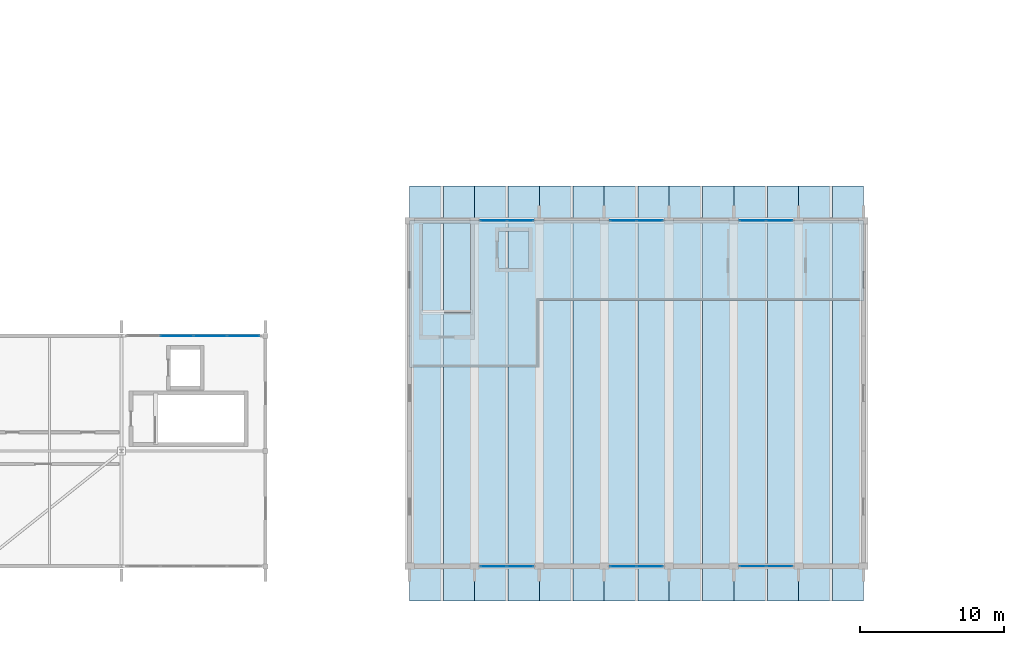
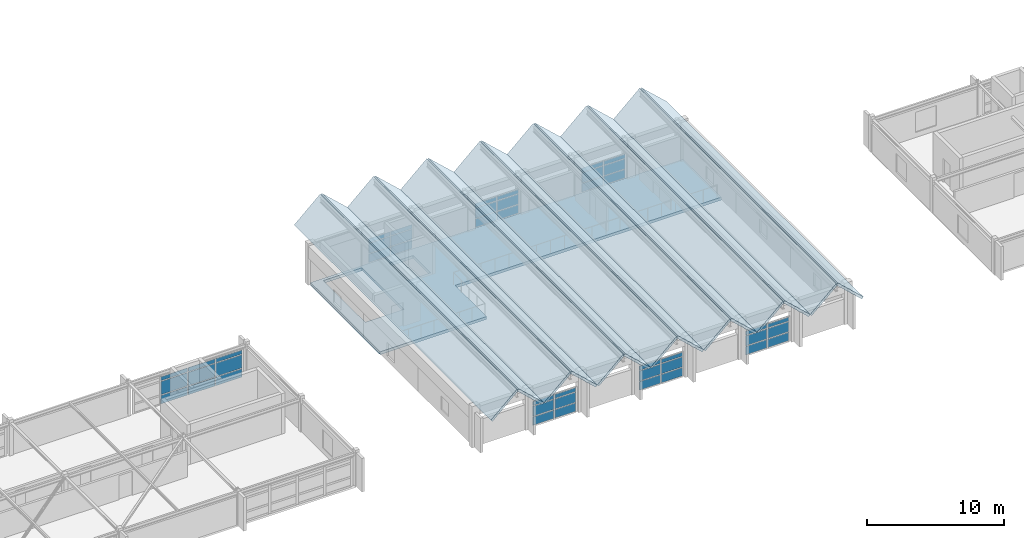
# One storey, part 42 of 83: 45 plates, 15 slabs, 7 elements without a shape of their own.
"""IFC4 building model written with IfcOpenShell, lengths in metres."""

from ifc_helpers import new_model, si_unit, direction, frame, origin, origin_2d, place, context, subcontext, project, spatial, polyline, rectangle, outline, extrude, material, layer, layer_set, type_object, element, aggregate, save


model = new_model("IFC4")

# Units and contexts
model_context = context("Model", 3, precision=1e-05, world=origin(), true_north=direction((0.0, 1.0)))
body_context = subcontext(model_context, "Body", "Model", "MODEL_VIEW")
ifc_project = project(units=[si_unit("LENGTHUNIT", "METRE"), si_unit("AREAUNIT", "SQUARE_METRE"), si_unit("VOLUMEUNIT", "CUBIC_METRE"), si_unit("PLANEANGLEUNIT", "RADIAN"), si_unit("MASSUNIT", "GRAM", prefix="KILO")], contexts=[model_context])

# Site, building, storey
site_placement = place(None, origin())
site = spatial("IfcSite", under=ifc_project, at=site_placement, CompositionType="ELEMENT")
building_placement = place(site_placement, origin())
building = spatial("IfcBuilding", under=site, at=building_placement, Name="Zimvara Arc Housing Community", CompositionType="ELEMENT")
storey_placement = place(building_placement, frame((0.0, 0.0, 4.5)))
storey = spatial("IfcBuildingStorey", under=building, at=storey_placement, Name="L01", CompositionType="ELEMENT", Elevation=4.5)

# Curtain wall, plates
ifc_material_1 = material(Name="Anodised Aluminium AW-6063", Category="aluminium")
curtain_wall_type_1 = type_object("IfcCurtainWallType", Name="CW-SYS-04", PredefinedType="USERDEFINED", material=ifc_material_1)
curtain_wall_1_placement = place(storey_placement, origin())
curtain_wall_1 = element("IfcCurtainWall", 1, at=curtain_wall_1_placement, inside=storey, type_object=curtain_wall_type_1, Name="cw:hall:L01:south:b3", ObjectType="CURTAIN WALL", PredefinedType="USERDEFINED")
ifc_material_2 = material(Name="Pale-Gold Anodised Aluminium Spandrel Panel", Category="aluminium")
ifc_layer_1 = layer(ifc_material_2, 0.035888671875)
ifc_layer_set_1 = layer_set([ifc_layer_1], Name="Pale-Gold Anodised Aluminium Spandrel Panel")
plate_type_1 = type_object("IfcPlateType", Name="CWP-GLD-36", PredefinedType="CURTAIN_PANEL", material=ifc_layer_set_1)
plate_1_placement = place(storey_placement, frame((82.8212890625, 3.60009765625, 0.06494140625), z_axis=(0.0, 0.0, 1.0), x_axis=(1.0, 0.0, 0.0)))
plate_1 = element("IfcPlate", 2, at=plate_1_placement, type_object=plate_type_1, Name="CW04 panel 1.1", PredefinedType="CURTAIN_PANEL", context=body_context, shape_type="SweptSolid", body=[
    extrude(rectangle(XDim=1.79248046875, YDim=0.035888671875, at=origin_2d()), origin(), (0.0, 0.0, 1.0), 0.75244140625),
])
plate_2_placement = place(storey_placement, frame((82.8212890625, 3.60009765625, 0.88232421875), z_axis=(0.0, 0.0, 1.0), x_axis=(1.0, 0.0, 0.0)))
plate_2 = element("IfcPlate", 3, at=plate_2_placement, type_object=plate_type_1, Name="CW04 panel 1.2", PredefinedType="CURTAIN_PANEL", context=body_context, shape_type="SweptSolid", body=[
    extrude(rectangle(XDim=1.79248046875, YDim=0.035888671875, at=origin_2d()), origin(), (0.0, 0.0, 1.0), 0.885009765625),
])
plate_3_placement = place(storey_placement, frame((82.8212890625, 3.60009765625, 1.83251953125), z_axis=(0.0, 0.0, 1.0), x_axis=(1.0, 0.0, 0.0)))
plate_3 = element("IfcPlate", 4, at=plate_3_placement, type_object=plate_type_1, Name="CW04 panel 1.3", PredefinedType="CURTAIN_PANEL", context=body_context, shape_type="SweptSolid", body=[
    extrude(rectangle(XDim=1.79248046875, YDim=0.035888671875, at=origin_2d()), origin(), (0.0, 0.0, 1.0), 0.3525390625),
])
plate_4_placement = place(storey_placement, frame((84.6787109375, 3.60009765625, 0.06494140625), z_axis=(0.0, 0.0, 1.0), x_axis=(1.0, 0.0, 0.0)))
plate_4 = element("IfcPlate", 5, at=plate_4_placement, type_object=plate_type_1, Name="CW04 panel 2.1", PredefinedType="CURTAIN_PANEL", context=body_context, shape_type="SweptSolid", body=[
    extrude(rectangle(XDim=1.79248046875, YDim=0.035888671875, at=origin_2d()), origin(), (0.0, 0.0, 1.0), 0.75244140625),
])
plate_5_placement = place(storey_placement, frame((84.6787109375, 3.60009765625, 0.88232421875), z_axis=(0.0, 0.0, 1.0), x_axis=(1.0, 0.0, 0.0)))
plate_5 = element("IfcPlate", 6, at=plate_5_placement, type_object=plate_type_1, Name="CW04 panel 2.2", PredefinedType="CURTAIN_PANEL", context=body_context, shape_type="SweptSolid", body=[
    extrude(rectangle(XDim=1.79248046875, YDim=0.035888671875, at=origin_2d()), origin(), (0.0, 0.0, 1.0), 0.885009765625),
])
plate_6_placement = place(storey_placement, frame((84.6787109375, 3.60009765625, 1.83251953125), z_axis=(0.0, 0.0, 1.0), x_axis=(1.0, 0.0, 0.0)))
plate_6 = element("IfcPlate", 7, at=plate_6_placement, type_object=plate_type_1, Name="CW04 panel 2.3", PredefinedType="CURTAIN_PANEL", context=body_context, shape_type="SweptSolid", body=[
    extrude(rectangle(XDim=1.79248046875, YDim=0.035888671875, at=origin_2d()), origin(), (0.0, 0.0, 1.0), 0.3525390625),
])
aggregate(curtain_wall_1, [plate_1, plate_2, plate_3, plate_4, plate_5, plate_6])

ifc_material_3 = material(Name="Anodised Aluminium AW-6063", Category="aluminium")
curtain_wall_type_2 = type_object("IfcCurtainWallType", Name="CW-SYS-08", PredefinedType="USERDEFINED", material=ifc_material_3)
curtain_wall_2_placement = place(storey_placement, origin())
curtain_wall_2 = element("IfcCurtainWall", 8, at=curtain_wall_2_placement, inside=storey, type_object=curtain_wall_type_2, Name="cw:hall:L01:north:b5", ObjectType="CURTAIN WALL", PredefinedType="USERDEFINED")
plate_7_placement = place(storey_placement, frame((91.8212890625, 27.60009765625, 0.06494140625), z_axis=(0.0, 0.0, 1.0), x_axis=(1.0, 0.0, 0.0)))
plate_7 = element("IfcPlate", 9, at=plate_7_placement, type_object=plate_type_1, Name="CW08 panel 1.1", PredefinedType="CURTAIN_PANEL", context=body_context, shape_type="SweptSolid", body=[
    extrude(rectangle(XDim=1.79248046875, YDim=0.035888671875, at=origin_2d()), origin(), (0.0, 0.0, 1.0), 0.75244140625),
])
plate_8_placement = place(storey_placement, frame((91.8212890625, 27.60009765625, 0.88232421875), z_axis=(0.0, 0.0, 1.0), x_axis=(1.0, 0.0, 0.0)))
plate_8 = element("IfcPlate", 10, at=plate_8_placement, type_object=plate_type_1, Name="CW08 panel 1.2", PredefinedType="CURTAIN_PANEL", context=body_context, shape_type="SweptSolid", body=[
    extrude(rectangle(XDim=1.79248046875, YDim=0.035888671875, at=origin_2d()), origin(), (0.0, 0.0, 1.0), 0.885009765625),
])
plate_9_placement = place(storey_placement, frame((91.8212890625, 27.60009765625, 1.83251953125), z_axis=(0.0, 0.0, 1.0), x_axis=(1.0, 0.0, 0.0)))
plate_9 = element("IfcPlate", 11, at=plate_9_placement, type_object=plate_type_1, Name="CW08 panel 1.3", PredefinedType="CURTAIN_PANEL", context=body_context, shape_type="SweptSolid", body=[
    extrude(rectangle(XDim=1.79248046875, YDim=0.035888671875, at=origin_2d()), origin(), (0.0, 0.0, 1.0), 0.3525390625),
])
plate_10_placement = place(storey_placement, frame((93.6787109375, 27.60009765625, 0.06494140625), z_axis=(0.0, 0.0, 1.0), x_axis=(1.0, 0.0, 0.0)))
plate_10 = element("IfcPlate", 12, at=plate_10_placement, type_object=plate_type_1, Name="CW08 panel 2.1", PredefinedType="CURTAIN_PANEL", context=body_context, shape_type="SweptSolid", body=[
    extrude(rectangle(XDim=1.79248046875, YDim=0.035888671875, at=origin_2d()), origin(), (0.0, 0.0, 1.0), 0.75244140625),
])
plate_11_placement = place(storey_placement, frame((93.6787109375, 27.60009765625, 0.88232421875), z_axis=(0.0, 0.0, 1.0), x_axis=(1.0, 0.0, 0.0)))
plate_11 = element("IfcPlate", 13, at=plate_11_placement, type_object=plate_type_1, Name="CW08 panel 2.2", PredefinedType="CURTAIN_PANEL", context=body_context, shape_type="SweptSolid", body=[
    extrude(rectangle(XDim=1.79248046875, YDim=0.035888671875, at=origin_2d()), origin(), (0.0, 0.0, 1.0), 0.885009765625),
])
plate_12_placement = place(storey_placement, frame((93.6787109375, 27.60009765625, 1.83251953125), z_axis=(0.0, 0.0, 1.0), x_axis=(1.0, 0.0, 0.0)))
plate_12 = element("IfcPlate", 14, at=plate_12_placement, type_object=plate_type_1, Name="CW08 panel 2.3", PredefinedType="CURTAIN_PANEL", context=body_context, shape_type="SweptSolid", body=[
    extrude(rectangle(XDim=1.79248046875, YDim=0.035888671875, at=origin_2d()), origin(), (0.0, 0.0, 1.0), 0.3525390625),
])
aggregate(curtain_wall_2, [plate_7, plate_8, plate_9, plate_10, plate_11, plate_12])

curtain_wall_3_placement = place(storey_placement, origin())
curtain_wall_3 = element("IfcCurtainWall", 15, at=curtain_wall_3_placement, inside=storey, type_object=curtain_wall_type_1, Name="cw:shops:L01:north:b5", ObjectType="CURTAIN WALL", PredefinedType="USERDEFINED")
plate_13_placement = place(storey_placement, frame((51.840087890625, 19.60009765625, 0.06494140625), z_axis=(0.0, 0.0, 1.0), x_axis=(1.0, 0.0, 0.0)))
plate_13 = element("IfcPlate", 16, at=plate_13_placement, type_object=plate_type_1, Name="CW04 panel 2.1", PredefinedType="CURTAIN_PANEL", context=body_context, shape_type="SweptSolid", body=[
    extrude(rectangle(XDim=2.2548828125, YDim=0.035888671875, at=origin_2d()), origin(), (0.0, 0.0, 1.0), 0.75244140625),
])
plate_14_placement = place(storey_placement, frame((51.840087890625, 19.60009765625, 0.882568359375), z_axis=(0.0, 0.0, 1.0), x_axis=(1.0, 0.0, 0.0)))
plate_14 = element("IfcPlate", 17, at=plate_14_placement, type_object=plate_type_1, Name="CW04 panel 2.2", PredefinedType="CURTAIN_PANEL", context=body_context, shape_type="SweptSolid", body=[
    extrude(rectangle(XDim=2.2548828125, YDim=0.035888671875, at=origin_2d()), origin(), (0.0, 0.0, 1.0), 1.18505859375),
])
plate_15_placement = place(storey_placement, frame((51.840087890625, 19.60009765625, 2.132568359375), z_axis=(0.0, 0.0, 1.0), x_axis=(1.0, 0.0, 0.0)))
plate_15 = element("IfcPlate", 18, at=plate_15_placement, type_object=plate_type_1, Name="CW04 panel 2.3", PredefinedType="CURTAIN_PANEL", context=body_context, shape_type="SweptSolid", body=[
    extrude(rectangle(XDim=2.2548828125, YDim=0.035888671875, at=origin_2d()), origin(), (0.0, 0.0, 1.0), 0.3525390625),
])
plate_16_placement = place(storey_placement, frame((54.159912109375, 19.60009765625, 0.06494140625), z_axis=(0.0, 0.0, 1.0), x_axis=(1.0, 0.0, 0.0)))
plate_16 = element("IfcPlate", 19, at=plate_16_placement, type_object=plate_type_1, Name="CW04 panel 3.1", PredefinedType="CURTAIN_PANEL", context=body_context, shape_type="SweptSolid", body=[
    extrude(rectangle(XDim=2.2548828125, YDim=0.035888671875, at=origin_2d()), origin(), (0.0, 0.0, 1.0), 0.75244140625),
])
plate_17_placement = place(storey_placement, frame((54.159912109375, 19.60009765625, 0.882568359375), z_axis=(0.0, 0.0, 1.0), x_axis=(1.0, 0.0, 0.0)))
plate_17 = element("IfcPlate", 20, at=plate_17_placement, type_object=plate_type_1, Name="CW04 panel 3.2", PredefinedType="CURTAIN_PANEL", context=body_context, shape_type="SweptSolid", body=[
    extrude(rectangle(XDim=2.2548828125, YDim=0.035888671875, at=origin_2d()), origin(), (0.0, 0.0, 1.0), 1.18505859375),
])
plate_18_placement = place(storey_placement, frame((54.159912109375, 19.60009765625, 2.132568359375), z_axis=(0.0, 0.0, 1.0), x_axis=(1.0, 0.0, 0.0)))
plate_18 = element("IfcPlate", 21, at=plate_18_placement, type_object=plate_type_1, Name="CW04 panel 3.3", PredefinedType="CURTAIN_PANEL", context=body_context, shape_type="SweptSolid", body=[
    extrude(rectangle(XDim=2.2548828125, YDim=0.035888671875, at=origin_2d()), origin(), (0.0, 0.0, 1.0), 0.3525390625),
])
plate_19_placement = place(storey_placement, frame((56.4638671875, 19.60009765625, 0.06494140625), z_axis=(0.0, 0.0, 1.0), x_axis=(1.0, 0.0, 0.0)))
plate_19 = element("IfcPlate", 22, at=plate_19_placement, type_object=plate_type_1, Name="CW04 panel 4.1", PredefinedType="CURTAIN_PANEL", context=body_context, shape_type="SweptSolid", body=[
    extrude(rectangle(XDim=2.222412109375, YDim=0.035888671875, at=origin_2d()), origin(), (0.0, 0.0, 1.0), 0.75244140625),
])
plate_20_placement = place(storey_placement, frame((56.4638671875, 19.60009765625, 0.882568359375), z_axis=(0.0, 0.0, 1.0), x_axis=(1.0, 0.0, 0.0)))
plate_20 = element("IfcPlate", 23, at=plate_20_placement, type_object=plate_type_1, Name="CW04 panel 4.2", PredefinedType="CURTAIN_PANEL", context=body_context, shape_type="SweptSolid", body=[
    extrude(rectangle(XDim=2.222412109375, YDim=0.035888671875, at=origin_2d()), origin(), (0.0, 0.0, 1.0), 1.18505859375),
])
plate_21_placement = place(storey_placement, frame((56.4638671875, 19.60009765625, 2.132568359375), z_axis=(0.0, 0.0, 1.0), x_axis=(1.0, 0.0, 0.0)))
plate_21 = element("IfcPlate", 24, at=plate_21_placement, type_object=plate_type_1, Name="CW04 panel 4.3", PredefinedType="CURTAIN_PANEL", context=body_context, shape_type="SweptSolid", body=[
    extrude(rectangle(XDim=2.222412109375, YDim=0.035888671875, at=origin_2d()), origin(), (0.0, 0.0, 1.0), 0.3525390625),
])
aggregate(curtain_wall_3, [plate_13, plate_14, plate_15, plate_16, plate_17, plate_18, plate_19, plate_20, plate_21])

ifc_material_4 = material(Name="Anodised Aluminium AW-6063", Category="aluminium")
curtain_wall_type_3 = type_object("IfcCurtainWallType", Name="CW-SYS-05", PredefinedType="USERDEFINED", material=ifc_material_4)
curtain_wall_4_placement = place(storey_placement, origin())
curtain_wall_4 = element("IfcCurtainWall", 25, at=curtain_wall_4_placement, inside=storey, type_object=curtain_wall_type_3, Name="cw:hall:L01:south:b5", ObjectType="CURTAIN WALL", PredefinedType="USERDEFINED")
ifc_material_5 = material(Name="Solar Control Low-E Double Glazing", Category="glass")
ifc_layer_2 = layer(ifc_material_5, 0.02392578125)
ifc_layer_set_2 = layer_set([ifc_layer_2], Name="Solar Control Low-E Double Glazing")
plate_type_2 = type_object("IfcPlateType", Name="CWP-GLZ-24", PredefinedType="CURTAIN_PANEL", material=ifc_layer_set_2)
plate_22_placement = place(storey_placement, frame((91.8212890625, 3.60009765625, 0.06494140625), z_axis=(0.0, 0.0, 1.0), x_axis=(1.0, 0.0, 0.0)))
plate_22 = element("IfcPlate", 26, at=plate_22_placement, type_object=plate_type_2, Name="CW05 panel 1.1", PredefinedType="CURTAIN_PANEL", context=body_context, shape_type="SweptSolid", body=[
    extrude(rectangle(XDim=1.79248046875, YDim=0.02392578125, at=origin_2d()), origin(), (0.0, 0.0, 1.0), 0.75244140625),
])
plate_23_placement = place(storey_placement, frame((91.8212890625, 3.60009765625, 0.88232421875), z_axis=(0.0, 0.0, 1.0), x_axis=(1.0, 0.0, 0.0)))
plate_23 = element("IfcPlate", 27, at=plate_23_placement, type_object=plate_type_2, Name="CW05 panel 1.2", PredefinedType="CURTAIN_PANEL", context=body_context, shape_type="SweptSolid", body=[
    extrude(rectangle(XDim=1.79248046875, YDim=0.02392578125, at=origin_2d()), origin(), (0.0, 0.0, 1.0), 0.885009765625),
])
plate_24_placement = place(storey_placement, frame((91.8212890625, 3.60009765625, 1.83251953125), z_axis=(0.0, 0.0, 1.0), x_axis=(1.0, 0.0, 0.0)))
plate_24 = element("IfcPlate", 28, at=plate_24_placement, type_object=plate_type_2, Name="CW05 panel 1.3", PredefinedType="CURTAIN_PANEL", context=body_context, shape_type="SweptSolid", body=[
    extrude(rectangle(XDim=1.79248046875, YDim=0.02392578125, at=origin_2d()), origin(), (0.0, 0.0, 1.0), 0.3525390625),
])
plate_25_placement = place(storey_placement, frame((93.6787109375, 3.60009765625, 0.06494140625), z_axis=(0.0, 0.0, 1.0), x_axis=(1.0, 0.0, 0.0)))
plate_25 = element("IfcPlate", 29, at=plate_25_placement, type_object=plate_type_2, Name="CW05 panel 2.1", PredefinedType="CURTAIN_PANEL", context=body_context, shape_type="SweptSolid", body=[
    extrude(rectangle(XDim=1.79248046875, YDim=0.02392578125, at=origin_2d()), origin(), (0.0, 0.0, 1.0), 0.75244140625),
])
plate_26_placement = place(storey_placement, frame((93.6787109375, 3.60009765625, 0.88232421875), z_axis=(0.0, 0.0, 1.0), x_axis=(1.0, 0.0, 0.0)))
plate_26 = element("IfcPlate", 30, at=plate_26_placement, type_object=plate_type_2, Name="CW05 panel 2.2", PredefinedType="CURTAIN_PANEL", context=body_context, shape_type="SweptSolid", body=[
    extrude(rectangle(XDim=1.79248046875, YDim=0.02392578125, at=origin_2d()), origin(), (0.0, 0.0, 1.0), 0.885009765625),
])
plate_27_placement = place(storey_placement, frame((93.6787109375, 3.60009765625, 1.83251953125), z_axis=(0.0, 0.0, 1.0), x_axis=(1.0, 0.0, 0.0)))
plate_27 = element("IfcPlate", 31, at=plate_27_placement, type_object=plate_type_2, Name="CW05 panel 2.3", PredefinedType="CURTAIN_PANEL", context=body_context, shape_type="SweptSolid", body=[
    extrude(rectangle(XDim=1.79248046875, YDim=0.02392578125, at=origin_2d()), origin(), (0.0, 0.0, 1.0), 0.3525390625),
])
aggregate(curtain_wall_4, [plate_22, plate_23, plate_24, plate_25, plate_26, plate_27])

ifc_material_6 = material(Name="Anodised Aluminium AW-6063", Category="aluminium")
curtain_wall_type_4 = type_object("IfcCurtainWallType", Name="CW-SYS-06", PredefinedType="USERDEFINED", material=ifc_material_6)
curtain_wall_5_placement = place(storey_placement, origin())
curtain_wall_5 = element("IfcCurtainWall", 32, at=curtain_wall_5_placement, inside=storey, type_object=curtain_wall_type_4, Name="cw:hall:L01:north:b1", ObjectType="CURTAIN WALL", PredefinedType="USERDEFINED")
ifc_material_7 = material(Name="Solar Control Low-E Double Glazing", Category="glass")
ifc_layer_3 = layer(ifc_material_7, 0.028076171875)
ifc_layer_set_3 = layer_set([ifc_layer_3], Name="Solar Control Low-E Double Glazing")
plate_type_3 = type_object("IfcPlateType", Name="CWP-GLZ-28", PredefinedType="CURTAIN_PANEL", material=ifc_layer_set_3)
plate_28_placement = place(storey_placement, frame((73.8212890625, 27.60009765625, 0.06494140625), z_axis=(0.0, 0.0, 1.0), x_axis=(1.0, 0.0, 0.0)))
plate_28 = element("IfcPlate", 33, at=plate_28_placement, type_object=plate_type_3, Name="CW06 panel 1.1", PredefinedType="CURTAIN_PANEL", context=body_context, shape_type="SweptSolid", body=[
    extrude(rectangle(XDim=1.79248046875, YDim=0.028076171875, at=origin_2d()), origin(), (0.0, 0.0, 1.0), 0.75244140625),
])
plate_29_placement = place(storey_placement, frame((73.8212890625, 27.60009765625, 0.88232421875), z_axis=(0.0, 0.0, 1.0), x_axis=(1.0, 0.0, 0.0)))
plate_29 = element("IfcPlate", 34, at=plate_29_placement, type_object=plate_type_3, Name="CW06 panel 1.2", PredefinedType="CURTAIN_PANEL", context=body_context, shape_type="SweptSolid", body=[
    extrude(rectangle(XDim=1.79248046875, YDim=0.028076171875, at=origin_2d()), origin(), (0.0, 0.0, 1.0), 0.885009765625),
])
plate_30_placement = place(storey_placement, frame((73.8212890625, 27.60009765625, 1.83251953125), z_axis=(0.0, 0.0, 1.0), x_axis=(1.0, 0.0, 0.0)))
plate_30 = element("IfcPlate", 35, at=plate_30_placement, type_object=plate_type_3, Name="CW06 panel 1.3", PredefinedType="CURTAIN_PANEL", context=body_context, shape_type="SweptSolid", body=[
    extrude(rectangle(XDim=1.79248046875, YDim=0.028076171875, at=origin_2d()), origin(), (0.0, 0.0, 1.0), 0.3525390625),
])
plate_31_placement = place(storey_placement, frame((75.6787109375, 27.60009765625, 0.06494140625), z_axis=(0.0, 0.0, 1.0), x_axis=(1.0, 0.0, 0.0)))
plate_31 = element("IfcPlate", 36, at=plate_31_placement, type_object=plate_type_3, Name="CW06 panel 2.1", PredefinedType="CURTAIN_PANEL", context=body_context, shape_type="SweptSolid", body=[
    extrude(rectangle(XDim=1.79248046875, YDim=0.028076171875, at=origin_2d()), origin(), (0.0, 0.0, 1.0), 0.75244140625),
])
plate_32_placement = place(storey_placement, frame((75.6787109375, 27.60009765625, 0.88232421875), z_axis=(0.0, 0.0, 1.0), x_axis=(1.0, 0.0, 0.0)))
plate_32 = element("IfcPlate", 37, at=plate_32_placement, type_object=plate_type_3, Name="CW06 panel 2.2", PredefinedType="CURTAIN_PANEL", context=body_context, shape_type="SweptSolid", body=[
    extrude(rectangle(XDim=1.79248046875, YDim=0.028076171875, at=origin_2d()), origin(), (0.0, 0.0, 1.0), 0.885009765625),
])
plate_33_placement = place(storey_placement, frame((75.6787109375, 27.60009765625, 1.83251953125), z_axis=(0.0, 0.0, 1.0), x_axis=(1.0, 0.0, 0.0)))
plate_33 = element("IfcPlate", 38, at=plate_33_placement, type_object=plate_type_3, Name="CW06 panel 2.3", PredefinedType="CURTAIN_PANEL", context=body_context, shape_type="SweptSolid", body=[
    extrude(rectangle(XDim=1.79248046875, YDim=0.028076171875, at=origin_2d()), origin(), (0.0, 0.0, 1.0), 0.3525390625),
])
aggregate(curtain_wall_5, [plate_28, plate_29, plate_30, plate_31, plate_32, plate_33])

ifc_material_8 = material(Name="Anodised Aluminium AW-6063", Category="aluminium")
curtain_wall_type_5 = type_object("IfcCurtainWallType", Name="CW-SYS-03", PredefinedType="USERDEFINED", material=ifc_material_8)
curtain_wall_6_placement = place(storey_placement, origin())
curtain_wall_6 = element("IfcCurtainWall", 39, at=curtain_wall_6_placement, inside=storey, type_object=curtain_wall_type_5, Name="cw:hall:L01:south:b1", ObjectType="CURTAIN WALL", PredefinedType="USERDEFINED")
ifc_material_9 = material(Name="Acoustic Laminated Solar Glazing", Category="glass")
ifc_layer_4 = layer(ifc_material_9, 0.031982421875)
ifc_layer_set_4 = layer_set([ifc_layer_4], Name="Acoustic Laminated Solar Glazing")
plate_type_4 = type_object("IfcPlateType", Name="CWP-GLZ-32", PredefinedType="CURTAIN_PANEL", material=ifc_layer_set_4)
plate_34_placement = place(storey_placement, frame((73.8212890625, 3.60009765625, 0.06494140625), z_axis=(0.0, 0.0, 1.0), x_axis=(1.0, 0.0, 0.0)))
plate_34 = element("IfcPlate", 40, at=plate_34_placement, type_object=plate_type_4, Name="CW03 panel 1.1", PredefinedType="CURTAIN_PANEL", context=body_context, shape_type="SweptSolid", body=[
    extrude(rectangle(XDim=1.79248046875, YDim=0.031982421875, at=origin_2d()), origin(), (0.0, 0.0, 1.0), 0.75244140625),
])
plate_35_placement = place(storey_placement, frame((73.8212890625, 3.60009765625, 0.88232421875), z_axis=(0.0, 0.0, 1.0), x_axis=(1.0, 0.0, 0.0)))
plate_35 = element("IfcPlate", 41, at=plate_35_placement, type_object=plate_type_4, Name="CW03 panel 1.2", PredefinedType="CURTAIN_PANEL", context=body_context, shape_type="SweptSolid", body=[
    extrude(rectangle(XDim=1.79248046875, YDim=0.031982421875, at=origin_2d()), origin(), (0.0, 0.0, 1.0), 0.885009765625),
])
plate_36_placement = place(storey_placement, frame((73.8212890625, 3.60009765625, 1.83251953125), z_axis=(0.0, 0.0, 1.0), x_axis=(1.0, 0.0, 0.0)))
plate_36 = element("IfcPlate", 42, at=plate_36_placement, type_object=plate_type_4, Name="CW03 panel 1.3", PredefinedType="CURTAIN_PANEL", context=body_context, shape_type="SweptSolid", body=[
    extrude(rectangle(XDim=1.79248046875, YDim=0.031982421875, at=origin_2d()), origin(), (0.0, 0.0, 1.0), 0.3525390625),
])
plate_37_placement = place(storey_placement, frame((75.6787109375, 3.60009765625, 0.06494140625), z_axis=(0.0, 0.0, 1.0), x_axis=(1.0, 0.0, 0.0)))
plate_37 = element("IfcPlate", 43, at=plate_37_placement, type_object=plate_type_4, Name="CW03 panel 2.1", PredefinedType="CURTAIN_PANEL", context=body_context, shape_type="SweptSolid", body=[
    extrude(rectangle(XDim=1.79248046875, YDim=0.031982421875, at=origin_2d()), origin(), (0.0, 0.0, 1.0), 0.75244140625),
])
plate_38_placement = place(storey_placement, frame((75.6787109375, 3.60009765625, 0.88232421875), z_axis=(0.0, 0.0, 1.0), x_axis=(1.0, 0.0, 0.0)))
plate_38 = element("IfcPlate", 44, at=plate_38_placement, type_object=plate_type_4, Name="CW03 panel 2.2", PredefinedType="CURTAIN_PANEL", context=body_context, shape_type="SweptSolid", body=[
    extrude(rectangle(XDim=1.79248046875, YDim=0.031982421875, at=origin_2d()), origin(), (0.0, 0.0, 1.0), 0.885009765625),
])
plate_39_placement = place(storey_placement, frame((75.6787109375, 3.60009765625, 1.83251953125), z_axis=(0.0, 0.0, 1.0), x_axis=(1.0, 0.0, 0.0)))
plate_39 = element("IfcPlate", 45, at=plate_39_placement, type_object=plate_type_4, Name="CW03 panel 2.3", PredefinedType="CURTAIN_PANEL", context=body_context, shape_type="SweptSolid", body=[
    extrude(rectangle(XDim=1.79248046875, YDim=0.031982421875, at=origin_2d()), origin(), (0.0, 0.0, 1.0), 0.3525390625),
])
aggregate(curtain_wall_6, [plate_34, plate_35, plate_36, plate_37, plate_38, plate_39])

ifc_material_10 = material(Name="Anodised Aluminium AW-6063", Category="aluminium")
curtain_wall_type_6 = type_object("IfcCurtainWallType", Name="CW-SYS-07", PredefinedType="USERDEFINED", material=ifc_material_10)
curtain_wall_7_placement = place(storey_placement, origin())
curtain_wall_7 = element("IfcCurtainWall", 46, at=curtain_wall_7_placement, inside=storey, type_object=curtain_wall_type_6, Name="cw:hall:L01:north:b3", ObjectType="CURTAIN WALL", PredefinedType="USERDEFINED")
plate_40_placement = place(storey_placement, frame((82.8212890625, 27.60009765625, 0.06494140625), z_axis=(0.0, 0.0, 1.0), x_axis=(1.0, 0.0, 0.0)))
plate_40 = element("IfcPlate", 47, at=plate_40_placement, type_object=plate_type_4, Name="CW07 panel 1.1", PredefinedType="CURTAIN_PANEL", context=body_context, shape_type="SweptSolid", body=[
    extrude(rectangle(XDim=1.79248046875, YDim=0.031982421875, at=origin_2d()), origin(), (0.0, 0.0, 1.0), 0.75244140625),
])
plate_41_placement = place(storey_placement, frame((82.8212890625, 27.60009765625, 0.88232421875), z_axis=(0.0, 0.0, 1.0), x_axis=(1.0, 0.0, 0.0)))
plate_41 = element("IfcPlate", 48, at=plate_41_placement, type_object=plate_type_4, Name="CW07 panel 1.2", PredefinedType="CURTAIN_PANEL", context=body_context, shape_type="SweptSolid", body=[
    extrude(rectangle(XDim=1.79248046875, YDim=0.031982421875, at=origin_2d()), origin(), (0.0, 0.0, 1.0), 0.885009765625),
])
plate_42_placement = place(storey_placement, frame((82.8212890625, 27.60009765625, 1.83251953125), z_axis=(0.0, 0.0, 1.0), x_axis=(1.0, 0.0, 0.0)))
plate_42 = element("IfcPlate", 49, at=plate_42_placement, type_object=plate_type_4, Name="CW07 panel 1.3", PredefinedType="CURTAIN_PANEL", context=body_context, shape_type="SweptSolid", body=[
    extrude(rectangle(XDim=1.79248046875, YDim=0.031982421875, at=origin_2d()), origin(), (0.0, 0.0, 1.0), 0.3525390625),
])
plate_43_placement = place(storey_placement, frame((84.6787109375, 27.60009765625, 0.06494140625), z_axis=(0.0, 0.0, 1.0), x_axis=(1.0, 0.0, 0.0)))
plate_43 = element("IfcPlate", 50, at=plate_43_placement, type_object=plate_type_4, Name="CW07 panel 2.1", PredefinedType="CURTAIN_PANEL", context=body_context, shape_type="SweptSolid", body=[
    extrude(rectangle(XDim=1.79248046875, YDim=0.031982421875, at=origin_2d()), origin(), (0.0, 0.0, 1.0), 0.75244140625),
])
plate_44_placement = place(storey_placement, frame((84.6787109375, 27.60009765625, 0.88232421875), z_axis=(0.0, 0.0, 1.0), x_axis=(1.0, 0.0, 0.0)))
plate_44 = element("IfcPlate", 51, at=plate_44_placement, type_object=plate_type_4, Name="CW07 panel 2.2", PredefinedType="CURTAIN_PANEL", context=body_context, shape_type="SweptSolid", body=[
    extrude(rectangle(XDim=1.79248046875, YDim=0.031982421875, at=origin_2d()), origin(), (0.0, 0.0, 1.0), 0.885009765625),
])
plate_45_placement = place(storey_placement, frame((84.6787109375, 27.60009765625, 1.83251953125), z_axis=(0.0, 0.0, 1.0), x_axis=(1.0, 0.0, 0.0)))
plate_45 = element("IfcPlate", 52, at=plate_45_placement, type_object=plate_type_4, Name="CW07 panel 2.3", PredefinedType="CURTAIN_PANEL", context=body_context, shape_type="SweptSolid", body=[
    extrude(rectangle(XDim=1.79248046875, YDim=0.031982421875, at=origin_2d()), origin(), (0.0, 0.0, 1.0), 0.3525390625),
])
aggregate(curtain_wall_7, [plate_40, plate_41, plate_42, plate_43, plate_44, plate_45])

# Slabs
ifc_material_11 = material(Name="Concrete C40/50", Category="concrete")
ifc_layer_5 = layer(ifc_material_11, 0.199951171875)
ifc_layer_set_5 = layer_set([ifc_layer_5], Name="Concrete C40/50")
slab_type_1 = type_object("IfcSlabType", Name="SLB-FP-ROOF-200", PredefinedType="ROOF", material=ifc_layer_set_5)
slab_1_placement = place(storey_placement, frame((68.0, 1.199951171875, 3.699951171875), z_axis=(-0.671823309758, 0.0, 0.740711442106), x_axis=(0.740711442106, 0.0, 0.671823309758)))
element("IfcSlab", 53, at=slab_1_placement, inside=storey, type_object=slab_type_1, Name="roof:hall:fp:b0:w", PredefinedType="ROOF", context=body_context, shape_type="SweptSolid", body=[
    extrude(outline(polyline([(0.0, 0.0), (2.9769732174397396, 0.0), (2.9769732174397396, 28.800048828125), (0.0, 28.800048828125), (0.0, 0.0)])), origin(), (0.0, 0.0, -1.0), 0.199951171875),
])
slab_2_placement = place(storey_placement, frame((70.344970703125, 30.0, 5.699951171875), z_axis=(0.680250416728, 0.0, 0.732979788631), x_axis=(0.732979788631, 0.0, -0.680250416728)))
element("IfcSlab", 54, at=slab_2_placement, inside=storey, type_object=slab_type_1, Name="roof:hall:fp:b0:e", PredefinedType="ROOF", context=body_context, shape_type="SweptSolid", body=[
    extrude(outline(polyline([(0.0, 0.0), (2.9400937519728103, 0.0), (2.9400937519728103, -28.800048828125), (0.0, -28.800048828125), (0.0, 0.0)])), origin(), (0.0, 0.0, -1.0), 0.199951171875),
])
slab_3_placement = place(storey_placement, frame((72.5, 1.199951171875, 3.699951171875), z_axis=(-0.671823309758, 0.0, 0.740711442106), x_axis=(0.740711442106, 0.0, 0.671823309758)))
element("IfcSlab", 55, at=slab_3_placement, inside=storey, type_object=slab_type_1, Name="roof:hall:fp:b1:w", PredefinedType="ROOF", context=body_context, shape_type="SweptSolid", body=[
    extrude(outline(polyline([(0.0, 0.0), (2.9769732174397396, 0.0), (2.9769732174397396, 28.800048828125), (0.0, 28.800048828125), (0.0, 0.0)])), origin(), (0.0, 0.0, -1.0), 0.199951171875),
])
slab_4_placement = place(storey_placement, frame((74.844970703125, 30.0, 5.699951171875), z_axis=(0.680250416728, 0.0, 0.732979788631), x_axis=(0.732979788631, 0.0, -0.680250416728)))
element("IfcSlab", 56, at=slab_4_placement, inside=storey, type_object=slab_type_1, Name="roof:hall:fp:b1:e", PredefinedType="ROOF", context=body_context, shape_type="SweptSolid", body=[
    extrude(outline(polyline([(0.0, 0.0), (2.9400937519728103, 0.0), (2.9400937519728103, -28.800048828125), (0.0, -28.800048828125), (0.0, 0.0)])), origin(), (0.0, 0.0, -1.0), 0.199951171875),
])
slab_5_placement = place(storey_placement, frame((77.0, 1.199951171875, 3.699951171875), z_axis=(-0.671823309758, 0.0, 0.740711442106), x_axis=(0.740711442106, 0.0, 0.671823309758)))
element("IfcSlab", 57, at=slab_5_placement, inside=storey, type_object=slab_type_1, Name="roof:hall:fp:b2:w", PredefinedType="ROOF", context=body_context, shape_type="SweptSolid", body=[
    extrude(outline(polyline([(0.0, 0.0), (2.9769732174397396, 0.0), (2.9769732174397396, 28.800048828125), (0.0, 28.800048828125), (0.0, 0.0)])), origin(), (0.0, 0.0, -1.0), 0.199951171875),
])
slab_6_placement = place(storey_placement, frame((79.344970703125, 30.0, 5.699951171875), z_axis=(0.680250416728, 0.0, 0.732979788631), x_axis=(0.732979788631, 0.0, -0.680250416728)))
element("IfcSlab", 58, at=slab_6_placement, inside=storey, type_object=slab_type_1, Name="roof:hall:fp:b2:e", PredefinedType="ROOF", context=body_context, shape_type="SweptSolid", body=[
    extrude(outline(polyline([(0.0, 0.0), (2.9400937519728103, 0.0), (2.9400937519728103, -28.800048828125), (0.0, -28.800048828125), (0.0, 0.0)])), origin(), (0.0, 0.0, -1.0), 0.199951171875),
])
slab_7_placement = place(storey_placement, frame((81.5, 1.199951171875, 3.699951171875), z_axis=(-0.671823309758, 0.0, 0.740711442106), x_axis=(0.740711442106, 0.0, 0.671823309758)))
element("IfcSlab", 59, at=slab_7_placement, inside=storey, type_object=slab_type_1, Name="roof:hall:fp:b3:w", PredefinedType="ROOF", context=body_context, shape_type="SweptSolid", body=[
    extrude(outline(polyline([(0.0, 0.0), (2.9769732174397396, 0.0), (2.9769732174397396, 28.800048828125), (0.0, 28.800048828125), (0.0, 0.0)])), origin(), (0.0, 0.0, -1.0), 0.199951171875),
])
slab_8_placement = place(storey_placement, frame((83.844970703125, 30.0, 5.699951171875), z_axis=(0.680250416728, 0.0, 0.732979788631), x_axis=(0.732979788631, 0.0, -0.680250416728)))
element("IfcSlab", 60, at=slab_8_placement, inside=storey, type_object=slab_type_1, Name="roof:hall:fp:b3:e", PredefinedType="ROOF", context=body_context, shape_type="SweptSolid", body=[
    extrude(outline(polyline([(0.0, 0.0), (2.9400937519728103, 0.0), (2.9400937519728103, -28.800048828125), (0.0, -28.800048828125), (0.0, 0.0)])), origin(), (0.0, 0.0, -1.0), 0.199951171875),
])
slab_9_placement = place(storey_placement, frame((86.0, 1.199951171875, 3.699951171875), z_axis=(-0.671823309758, 0.0, 0.740711442106), x_axis=(0.740711442106, 0.0, 0.671823309758)))
element("IfcSlab", 61, at=slab_9_placement, inside=storey, type_object=slab_type_1, Name="roof:hall:fp:b4:w", PredefinedType="ROOF", context=body_context, shape_type="SweptSolid", body=[
    extrude(outline(polyline([(0.0, 0.0), (2.9769732174397396, 0.0), (2.9769732174397396, 28.800048828125), (0.0, 28.800048828125), (0.0, 0.0)])), origin(), (0.0, 0.0, -1.0), 0.199951171875),
])
slab_10_placement = place(storey_placement, frame((88.344970703125, 30.0, 5.699951171875), z_axis=(0.680250416728, 0.0, 0.732979788631), x_axis=(0.732979788631, 0.0, -0.680250416728)))
element("IfcSlab", 62, at=slab_10_placement, inside=storey, type_object=slab_type_1, Name="roof:hall:fp:b4:e", PredefinedType="ROOF", context=body_context, shape_type="SweptSolid", body=[
    extrude(outline(polyline([(0.0, 0.0), (2.9400937519728103, 0.0), (2.9400937519728103, -28.800048828125), (0.0, -28.800048828125), (0.0, 0.0)])), origin(), (0.0, 0.0, -1.0), 0.199951171875),
])
slab_11_placement = place(storey_placement, frame((90.5, 1.199951171875, 3.699951171875), z_axis=(-0.671823309758, 0.0, 0.740711442106), x_axis=(0.740711442106, 0.0, 0.671823309758)))
element("IfcSlab", 63, at=slab_11_placement, inside=storey, type_object=slab_type_1, Name="roof:hall:fp:b5:w", PredefinedType="ROOF", context=body_context, shape_type="SweptSolid", body=[
    extrude(outline(polyline([(0.0, 0.0), (2.9769732174397396, 0.0), (2.9769732174397396, 28.800048828125), (0.0, 28.800048828125), (0.0, 0.0)])), origin(), (0.0, 0.0, -1.0), 0.199951171875),
])
slab_12_placement = place(storey_placement, frame((92.844970703125, 30.0, 5.699951171875), z_axis=(0.680250416728, 0.0, 0.732979788631), x_axis=(0.732979788631, 0.0, -0.680250416728)))
element("IfcSlab", 64, at=slab_12_placement, inside=storey, type_object=slab_type_1, Name="roof:hall:fp:b5:e", PredefinedType="ROOF", context=body_context, shape_type="SweptSolid", body=[
    extrude(outline(polyline([(0.0, 0.0), (2.9400937519728103, 0.0), (2.9400937519728103, -28.800048828125), (0.0, -28.800048828125), (0.0, 0.0)])), origin(), (0.0, 0.0, -1.0), 0.199951171875),
])
slab_13_placement = place(storey_placement, frame((95.0, 1.199951171875, 3.699951171875), z_axis=(-0.671823309758, 0.0, 0.740711442106), x_axis=(0.740711442106, 0.0, 0.671823309758)))
element("IfcSlab", 65, at=slab_13_placement, inside=storey, type_object=slab_type_1, Name="roof:hall:fp:b6:w", PredefinedType="ROOF", context=body_context, shape_type="SweptSolid", body=[
    extrude(outline(polyline([(0.0, 0.0), (2.9769732174397396, 0.0), (2.9769732174397396, 28.800048828125), (0.0, 28.800048828125), (0.0, 0.0)])), origin(), (0.0, 0.0, -1.0), 0.199951171875),
])
slab_14_placement = place(storey_placement, frame((97.344970703125, 30.0, 5.699951171875), z_axis=(0.680250416728, 0.0, 0.732979788631), x_axis=(0.732979788631, 0.0, -0.680250416728)))
element("IfcSlab", 66, at=slab_14_placement, inside=storey, type_object=slab_type_1, Name="roof:hall:fp:b6:e", PredefinedType="ROOF", context=body_context, shape_type="SweptSolid", body=[
    extrude(outline(polyline([(0.0, 0.0), (2.9400937519728103, 0.0), (2.9400937519728103, -28.800048828125), (0.0, -28.800048828125), (0.0, 0.0)])), origin(), (0.0, 0.0, -1.0), 0.199951171875),
])
ifc_material_12 = material(Name="Concrete C40/50", Category="concrete")
ifc_layer_6 = layer(ifc_material_12, 0.260009765625)
ifc_layer_set_6 = layer_set([ifc_layer_6], Name="Concrete C40/50")
slab_type_2 = type_object("IfcSlabType", Name="SLB-HALL-260", PredefinedType="FLOOR", material=ifc_layer_set_6)
slab_15_placement = place(storey_placement, frame((0.0, 0.0, -0.260009765625)))
element("IfcSlab", 67, at=slab_15_placement, inside=storey, type_object=slab_type_2, Name="slab:hall:L01:gallery", PredefinedType="FLOOR", context=body_context, shape_type="SweptSolid", body=[
    extrude(outline(polyline([(68.0, 17.39990234375), (77.0, 17.39990234375), (77.0, 22.0), (99.5, 22.0), (99.5, 27.60009765625), (68.0, 27.60009765625), (68.0, 17.39990234375)]), holes=[polyline([(68.93994140625, 21.22998046875), (68.93994140625, 27.35009765625), (72.219970703125, 27.35009765625), (72.219970703125, 21.22998046875), (68.93994140625, 21.22998046875)]), polyline([(74.199951171875, 26.840087890625), (76.239990234375, 26.840087890625), (76.239990234375, 24.300048828125), (74.199951171875, 24.300048828125), (74.199951171875, 26.840087890625)])]), origin(), (0.0, 0.0, 1.0), 0.260009765625),
])

save(model, "model.ifc")
